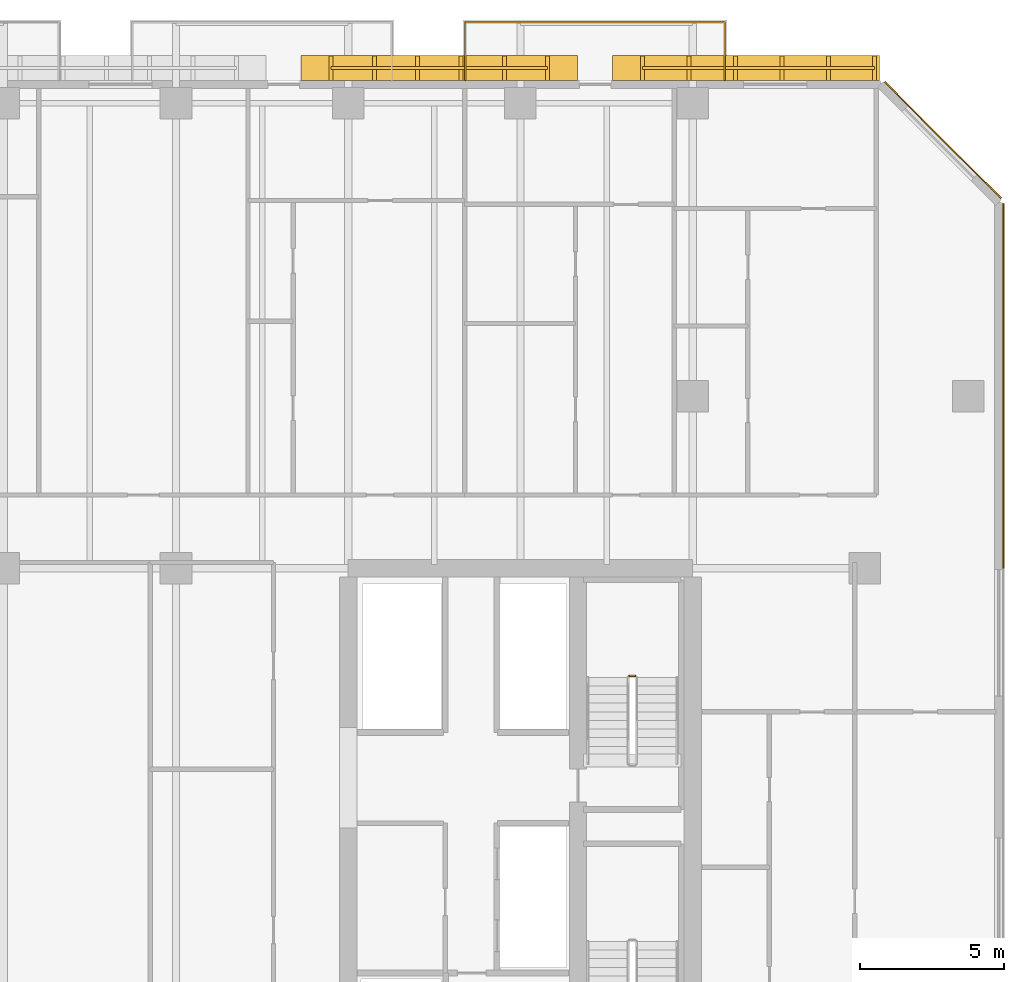
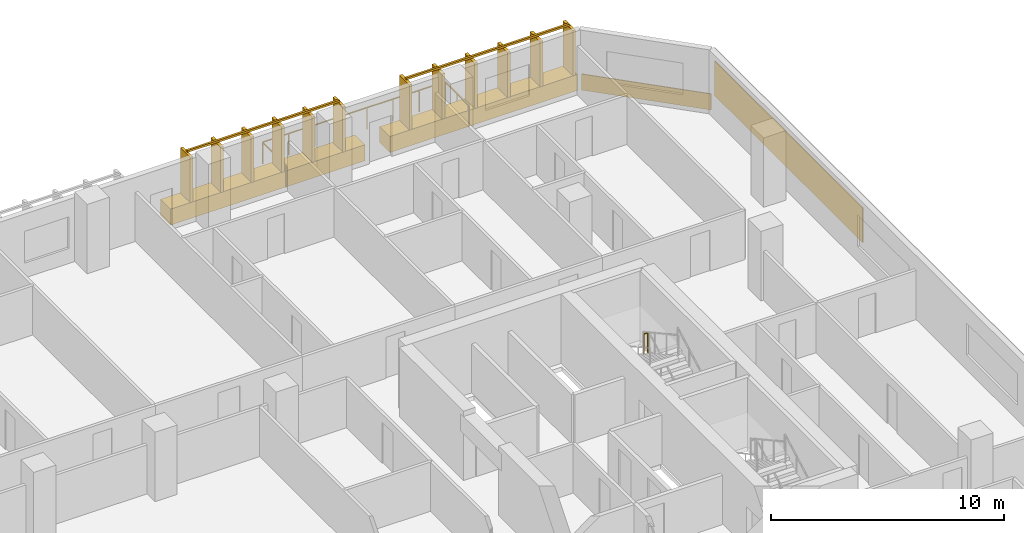
# One storey, part 25 of 25: 4 coverings, 4 railings.
"""IFC4 building model written with IfcOpenShell, lengths in metres."""

from ifc_helpers import new_model, si_unit, direction, frame, origin, origin_2d, place, context, subcontext, project, spatial, rectangle, extrude, material, layer, layer_set, type_object, element, save


model = new_model("IFC4")

# Units and contexts
model_context = context("Model", 3, precision=1e-05, world=origin(), true_north=direction((0.0, 1.0)))
body_context = subcontext(model_context, "Body", "Model", "MODEL_VIEW")
ifc_project = project(units=[si_unit("LENGTHUNIT", "METRE"), si_unit("AREAUNIT", "SQUARE_METRE"), si_unit("VOLUMEUNIT", "CUBIC_METRE"), si_unit("PLANEANGLEUNIT", "RADIAN"), si_unit("MASSUNIT", "GRAM", prefix="KILO")], contexts=[model_context])

# Site, building, storey
site_placement = place(None, origin())
site = spatial("IfcSite", under=ifc_project, at=site_placement, CompositionType="ELEMENT")
building_placement = place(site_placement, origin())
building = spatial("IfcBuilding", under=site, at=building_placement, Name="Tanjung Sevakor Pilgrim Tower", CompositionType="ELEMENT")
storey_placement = place(building_placement, frame((0.0, 0.0, 69.6298828125)))
storey = spatial("IfcBuildingStorey", under=building, at=storey_placement, Name="L19", CompositionType="ELEMENT", Elevation=69.6298828125)

# Coverings
ifc_material_1 = material(Name="Reconstructed Limestone Cladding", Category="masonry")
ifc_layer = layer(ifc_material_1, 0.044921875)
ifc_layer_set = layer_set([ifc_layer], Name="COV-CLAD-LIMESTONE")
covering_type = type_object("IfcCoveringType", Name="COV-CLAD-LIMESTONE", PredefinedType="CLADDING", material=ifc_layer_set)
covering_1_placement = place(storey_placement, frame((100.822509765625, 48.950927734375, 0.85009765625), z_axis=(0.0, 0.0, 1.0), x_axis=(0.0, 1.0, 0.0)))
element("IfcCovering", 1, at=covering_1_placement, inside=storey, type_object=covering_type, Name="L19 Warm Limestone Pier Panel EW-L19-MAIN-7-3", PredefinedType="CLADDING", context=body_context, shape_type="SweptSolid", body=[
    extrude(rectangle(XDim=12.701904296875, YDim=0.044921875, at=origin_2d()), origin(), (0.0, 0.0, 1.0), 1.81005859375),
])
covering_2_placement = place(storey_placement, frame((98.7158203125, 57.515869140625, 0.01025390625), z_axis=(0.0, 0.0, 1.0), x_axis=(-0.707106781187, 0.707106781187, 0.0)))
element("IfcCovering", 2, at=covering_2_placement, inside=storey, type_object=covering_type, Name="L19 Warm Limestone Sill Spandrel EW-CHM-L19-MAIN-7-1", PredefinedType="CLADDING", context=body_context, shape_type="SweptSolid", body=[
    extrude(rectangle(XDim=5.74365234375, YDim=0.044921875, at=origin_2d()), origin(), (0.0, 0.0, 1.0), 0.840087890625),
])
covering_3_placement = place(storey_placement, frame((91.85595703125, 60.030029296875, 0.01025390625), z_axis=(0.0, 0.0, 1.0), x_axis=(-1.0, 0.0, 0.0)))
element("IfcCovering", 3, at=covering_3_placement, inside=storey, type_object=covering_type, Name="L19 Warm Limestone Sill Spandrel EW-L19-MAIN-9-1", PredefinedType="CLADDING", context=body_context, shape_type="SweptSolid", body=[
    extrude(rectangle(XDim=9.2919921875, YDim=0.860107421875, at=origin_2d()), origin(), (0.0, 0.0, 1.0), 0.840087890625),
])
covering_4_placement = place(storey_placement, frame((81.175048828125, 60.030029296875, 0.01025390625), z_axis=(0.0, 0.0, 1.0), x_axis=(-1.0, 0.0, 0.0)))
element("IfcCovering", 4, at=covering_4_placement, inside=storey, type_object=covering_type, Name="L19 Warm Limestone Sill Spandrel EW-L19-MAIN-9-2", PredefinedType="CLADDING", context=body_context, shape_type="SweptSolid", body=[
    extrude(rectangle(XDim=9.6298828125, YDim=0.860107421875, at=origin_2d()), origin(), (0.0, 0.0, 1.0), 0.840087890625),
])

# Railings
ifc_material_2 = material(Name="Laminated Glass and Aluminium", Category="aluminium")
railing_type_1 = type_object("IfcRailingType", Name="RL-BAL-BALUST", PredefinedType="BALUSTRADE", material=ifc_material_2)
railing_1_placement = place(storey_placement, frame((82.080078125, 59.60009765625, 0.0)))
element("IfcRailing", 5, at=railing_1_placement, inside=storey, type_object=railing_type_1, Name="L19 Loggia Balustrade MAIN-N4", PredefinedType="BALUSTRADE", context=body_context, shape_type="SweptSolid", body=[
    extrude(rectangle(XDim=0.0479, YDim=0.0479), frame((0.0, 0.0, 1.1259765625), z_axis=(0.0, 1.0, 0.0), x_axis=(-1.0, 0.0, 0.0)), (0.0, 0.0, 1.0), 2.02001953125),
    extrude(rectangle(XDim=0.0479, YDim=0.0479), frame((0.0, 2.02001953125, 1.1259765625), z_axis=(1.0, 0.0, 0.0), x_axis=(0.0, 1.0, 0.0)), (0.0, 0.0, 1.0), 9.0400390625),
    extrude(rectangle(XDim=0.0479, YDim=0.0479), frame((9.0400390625, 2.02001953125, 1.1259765625), z_axis=(0.0, -1.0, 0.0), x_axis=(1.0, 0.0, 0.0)), (0.0, 0.0, 1.0), 2.02001953125),
    extrude(rectangle(XDim=0.042, YDim=0.042), origin(), (0.0, 0.0, 1.0), 1.101806640625),
    extrude(rectangle(XDim=0.042, YDim=0.042), frame((0.0, 1.010009765625, 0.0)), (0.0, 0.0, 1.0), 1.101806640625),
    extrude(rectangle(XDim=0.042, YDim=0.042), frame((0.0, 2.02001953125, 0.0)), (0.0, 0.0, 1.0), 1.101806640625),
    extrude(rectangle(XDim=0.042, YDim=0.042), frame((1.29150390625, 2.02001953125, 0.0)), (0.0, 0.0, 1.0), 1.101806640625),
    extrude(rectangle(XDim=0.042, YDim=0.042), frame((2.582763671875, 2.02001953125, 0.0)), (0.0, 0.0, 1.0), 1.101806640625),
    extrude(rectangle(XDim=0.042, YDim=0.042), frame((3.874267578125, 2.02001953125, 0.0)), (0.0, 0.0, 1.0), 1.101806640625),
    extrude(rectangle(XDim=0.042, YDim=0.042), frame((5.165771484375, 2.02001953125, 0.0)), (0.0, 0.0, 1.0), 1.101806640625),
    extrude(rectangle(XDim=0.042, YDim=0.042), frame((6.457275390625, 2.02001953125, 0.0)), (0.0, 0.0, 1.0), 1.101806640625),
    extrude(rectangle(XDim=0.042, YDim=0.042), frame((7.74853515625, 2.02001953125, 0.0)), (0.0, 0.0, 1.0), 1.101806640625),
    extrude(rectangle(XDim=0.042, YDim=0.042), frame((9.0400390625, 2.02001953125, 0.0)), (0.0, 0.0, 1.0), 1.101806640625),
    extrude(rectangle(XDim=0.042, YDim=0.042), frame((9.0400390625, 1.010009765625, 0.0)), (0.0, 0.0, 1.0), 1.101806640625),
    extrude(rectangle(XDim=0.042, YDim=0.042), frame((9.0400390625, 0.0, 0.0)), (0.0, 0.0, 1.0), 1.101806640625),
])
ifc_material_3 = material(Name="Anodised Bronze Aluminium 6063-T6", Category="aluminium")
railing_type_2 = type_object("IfcRailingType", Name="RL-FIN-SCREEN", PredefinedType="BALUSTRADE", material=ifc_material_3)
railing_2_placement = place(storey_placement, frame((96.342041015625, 60.02490234375, 0.840087890625)))
element("IfcRailing", 6, at=railing_2_placement, inside=storey, type_object=railing_type_2, Name="L19 Vertical Bronze-Gold Solar Fin Screen FNSCR-EW-L19-MAIN-9-1", PredefinedType="BALUSTRADE", context=body_context, shape_type="SweptSolid", body=[
    extrude(rectangle(XDim=0.105, YDim=0.105), frame((0.0, 0.0, 2.427490234375), z_axis=(-1.0, 0.0, 0.0), x_axis=(0.0, -1.0, 0.0)), (0.0, 0.0, 1.0), 8.092041015625),
    extrude(rectangle(XDim=0.14, YDim=0.85), origin(), (0.0, 0.0, 1.0), 2.375),
    extrude(rectangle(XDim=0.14, YDim=0.85), frame((-1.618408203125, 0.0, 0.0)), (0.0, 0.0, 1.0), 2.375),
    extrude(rectangle(XDim=0.14, YDim=0.85), frame((-3.23681640625, 0.0, 0.0)), (0.0, 0.0, 1.0), 2.375),
    extrude(rectangle(XDim=0.14, YDim=0.85), frame((-4.855224609375, 0.0, 0.0)), (0.0, 0.0, 1.0), 2.375),
    extrude(rectangle(XDim=0.14, YDim=0.85), frame((-6.4736328125, 0.0, 0.0)), (0.0, 0.0, 1.0), 2.375),
    extrude(rectangle(XDim=0.14, YDim=0.85), frame((-8.092041015625, 0.0, 0.0)), (0.0, 0.0, 1.0), 2.375),
])
railing_3_placement = place(storey_placement, frame((84.949951171875, 60.02490234375, 0.840087890625)))
element("IfcRailing", 7, at=railing_3_placement, inside=storey, type_object=railing_type_2, Name="L19 Vertical Bronze-Gold Solar Fin Screen FNSCR-EW-L19-MAIN-9-2", PredefinedType="BALUSTRADE", context=body_context, shape_type="SweptSolid", body=[
    extrude(rectangle(XDim=0.105, YDim=0.105), frame((0.0, 0.0, 2.427490234375), z_axis=(-1.0, 0.0, 0.0), x_axis=(0.0, -1.0, 0.0)), (0.0, 0.0, 1.0), 7.550048828125),
    extrude(rectangle(XDim=0.14, YDim=0.85), origin(), (0.0, 0.0, 1.0), 2.375),
    extrude(rectangle(XDim=0.14, YDim=0.85), frame((-1.510009765625, 0.0, 0.0)), (0.0, 0.0, 1.0), 2.375),
    extrude(rectangle(XDim=0.14, YDim=0.85), frame((-3.02001953125, 0.0, 0.0)), (0.0, 0.0, 1.0), 2.375),
    extrude(rectangle(XDim=0.14, YDim=0.85), frame((-4.530029296875, 0.0, 0.0)), (0.0, 0.0, 1.0), 2.375),
    extrude(rectangle(XDim=0.14, YDim=0.85), frame((-6.0400390625, 0.0, 0.0)), (0.0, 0.0, 1.0), 2.375),
    extrude(rectangle(XDim=0.14, YDim=0.85), frame((-7.550048828125, 0.0, 0.0)), (0.0, 0.0, 1.0), 2.375),
])
ifc_material_4 = material(Name="Steel S355J2", Category="steel")
railing_type_3 = type_object("IfcRailingType", Name="RL-STAIR-GUARD", PredefinedType="GUARDRAIL", material=ifc_material_4)
railing_4_placement = place(storey_placement, frame((88.0, 38.85009765625, 1.815185546875)))
element("IfcRailing", 8, at=railing_4_placement, inside=storey, type_object=railing_type_3, Name="L19 TS-E2 stair guard 2", PredefinedType="GUARDRAIL", context=body_context, shape_type="SweptSolid", body=[
    extrude(rectangle(XDim=0.0479, YDim=0.0479), frame((0.0, 0.0, 1.076171875), z_axis=(-1.0, 0.0, 0.0), x_axis=(0.0, -1.0, 0.0)), (0.0, 0.0, 1.0), 0.199951171875),
    extrude(rectangle(XDim=0.042, YDim=0.042), origin(), (0.0, 0.0, 1.0), 1.052001953125),
    extrude(rectangle(XDim=0.042, YDim=0.042), frame((-0.199951171875, 0.0, 0.0)), (0.0, 0.0, 1.0), 1.052001953125),
])

save(model, "model.ifc")
